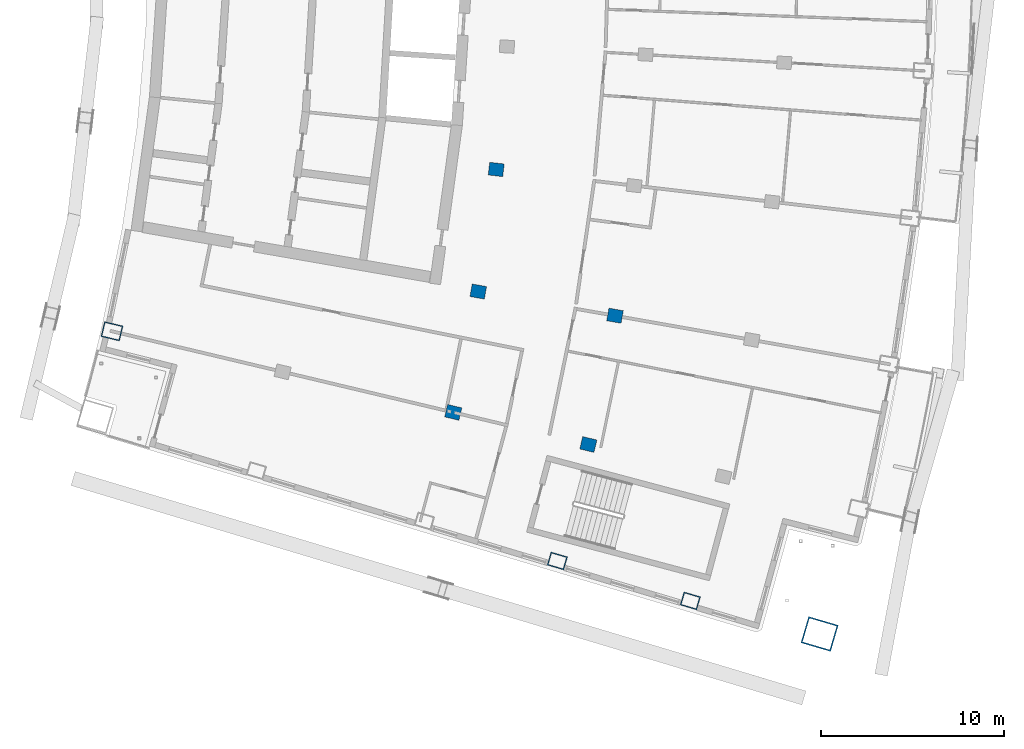
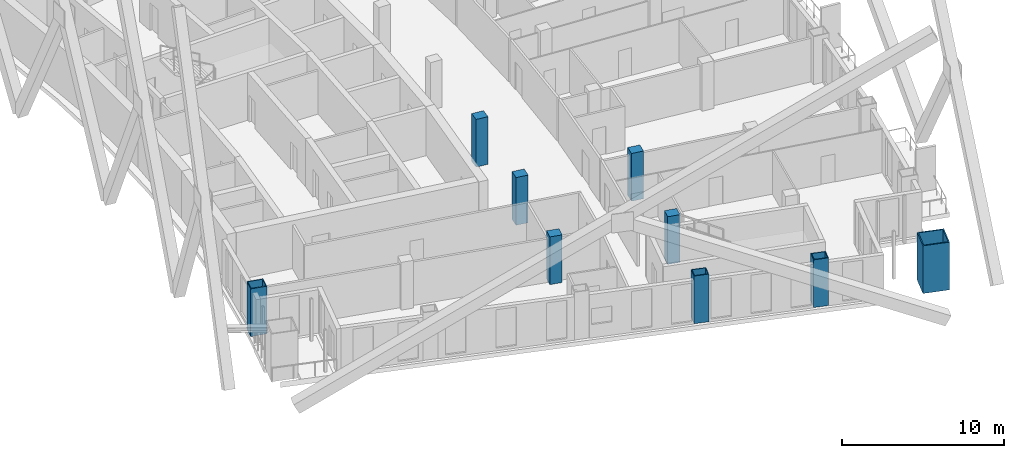
# One storey, part 2 of 20: 9 columns.
"""IFC4 building model written with IfcOpenShell, lengths in metres."""

from ifc_helpers import new_model, si_unit, direction, frame, origin, origin_2d, place, context, subcontext, project, spatial, rectangle, hollow_rectangle, extrude, material, material_profile, profile_set, type_object, element, save


model = new_model("IFC4")

# Units and contexts
model_context = context("Model", 3, precision=1e-05, world=origin(), true_north=direction((0.0, 1.0)))
body_context = subcontext(model_context, "Body", "Model", "MODEL_VIEW")
ifc_project = project(units=[si_unit("LENGTHUNIT", "METRE"), si_unit("AREAUNIT", "SQUARE_METRE"), si_unit("VOLUMEUNIT", "CUBIC_METRE"), si_unit("PLANEANGLEUNIT", "RADIAN"), si_unit("MASSUNIT", "GRAM", prefix="KILO")], contexts=[model_context])

# Site, building, storey
site_placement = place(None, origin())
site = spatial("IfcSite", under=ifc_project, at=site_placement, CompositionType="ELEMENT")
building_placement = place(site_placement, origin())
building = spatial("IfcBuilding", under=site, at=building_placement, Name="Alderwake Tower", CompositionType="ELEMENT")
storey_placement = place(building_placement, frame((0.0, 0.0, 189.199951171875)))
storey = spatial("IfcBuildingStorey", under=building, at=storey_placement, Name="L46", CompositionType="ELEMENT", Elevation=189.199951171875)

# Columns
ifc_material_1 = material(Name="Steel ASTM A572 Grade 50 concrete filled C70/85", Category="concrete")
ifc_material_profile_1 = material_profile(ifc_material_1, hollow_rectangle(XDim=0.75, YDim=0.949951171875, WallThickness=0.054931640625, at=origin_2d()), Name="BOX 950X750X55")
ifc_profile_set_1 = profile_set([ifc_material_profile_1], Name="Steel ASTM A572 Grade 50 concrete filled C70/85")
column_type_1 = type_object("IfcColumnType", Name="End column Z4", PredefinedType="COLUMN", material=ifc_profile_set_1)
for number, where, z_axis, x_axis, name in (
    (1, (38.359619140625, 26.091552734375, 0.0), (0.0, 0.0, 1.0), (0.282888913059, 0.959152679644, 0.0), "Column R02-C3"),
    (2, (45.638671875, 23.906005859375, 0.0), (0.0, 0.0, 1.0), (0.283160095779, 0.95907265635, 0.0), "Column R02-C4"),
):
    element("IfcColumn", number, at=place(storey_placement, frame(where, z_axis=z_axis, x_axis=x_axis)), inside=storey, type_object=column_type_1, Name=name, PredefinedType="COLUMN", context=body_context, shape_type="SweptSolid", body=[
        extrude(hollow_rectangle(XDim=0.75, YDim=0.949951171875, WallThickness=0.054931640625, at=origin_2d()), origin(), (0.0, 0.0, 1.0), 3.60009765625),
    ])
ifc_material_2 = material(Name="Concrete C70/85", Category="concrete")
ifc_material_profile_2 = material_profile(ifc_material_2, rectangle(XDim=0.699951171875, YDim=0.800048828125, at=origin_2d()), Name="RC 800X700")
ifc_profile_set_2 = profile_set([ifc_material_profile_2], Name="Concrete C70/85")
column_type_2 = type_object("IfcColumnType", Name="Interior column Z4", PredefinedType="COLUMN", material=ifc_profile_set_2)
for number, where, z_axis, x_axis, name in (
    (3, (32.661865234375, 34.224609375, 0.0), (0.0, 0.0, 1.0), (0.231221547198, 0.972901123502, 0.0), "Column R03-C2"),
    (4, (40.055908203125, 32.46728515625, 0.0), (0.0, 0.0, 1.0), (0.231221547198, 0.972901123502, 0.0), "Column R03-C3"),
    (5, (34.03125, 40.83837890625, 0.0), (0.0, 0.0, 1.0), (0.174108800747, 0.984726421654, 0.0), "Column R04-C2"),
    (6, (41.515380859375, 39.51513671875, 0.0), (0.0, 0.0, 1.0), (0.174107082075, 0.984726725529, 0.0), "Column R04-C3"),
    (7, (35.0126953125, 47.5205078125, 0.0), (0.0, 0.0, 1.0), (0.116402054316, 0.993202175668, 0.0), "Column R05-C2"),
):
    element("IfcColumn", number, at=place(storey_placement, frame(where, z_axis=z_axis, x_axis=x_axis)), inside=storey, type_object=column_type_2, Name=name, PredefinedType="COLUMN", context=body_context, shape_type="SweptSolid", body=[
        extrude(rectangle(XDim=0.699951171875, YDim=0.800048828125, at=origin_2d()), origin(), (0.0, 0.0, 1.0), 3.60009765625),
    ])
ifc_material_3 = material(Name="Steel ASTM A572 Grade 50 concrete filled C70/85", Category="concrete")
ifc_material_profile_3 = material_profile(ifc_material_3, hollow_rectangle(XDim=1.5, YDim=1.699951171875, WallThickness=0.074951171875, at=origin_2d()), Name="BOX 1700X1500X75")
ifc_profile_set_3 = profile_set([ifc_material_profile_3], Name="Steel ASTM A572 Grade 50 concrete filled C70/85")
column_type_3 = type_object("IfcColumnType", Name="Mega column Z4", PredefinedType="COLUMN", material=ifc_profile_set_3)
column_1_placement = place(storey_placement, frame((52.714599609375, 22.093017578125, 0.0), z_axis=(0.0, 0.0, 1.0), x_axis=(0.281323312272, 0.959613043874, 0.0)))
element("IfcColumn", 8, at=column_1_placement, inside=storey, type_object=column_type_3, Name="Column R02-C5", PredefinedType="COLUMN", context=body_context, shape_type="SweptSolid", body=[
    extrude(hollow_rectangle(XDim=1.5, YDim=1.699951171875, WallThickness=0.074951171875, at=origin_2d()), origin(), (0.0, 0.0, 1.0), 3.60009765625),
])
ifc_material_4 = material(Name="Steel ASTM A572 Grade 50 concrete filled C70/85", Category="concrete")
ifc_material_profile_4 = material_profile(ifc_material_4, hollow_rectangle(XDim=0.85009765625, YDim=1.050048828125, WallThickness=0.054931640625, at=origin_2d()), Name="BOX 1050X850X55")
ifc_profile_set_4 = profile_set([ifc_material_profile_4], Name="Steel ASTM A572 Grade 50 concrete filled C70/85")
column_type_4 = type_object("IfcColumnType", Name="Perimeter column Z4", PredefinedType="COLUMN", material=ifc_profile_set_4)
column_2_placement = place(storey_placement, frame((13.982177734375, 38.6640625, 0.0), z_axis=(0.0, 0.0, 1.0), x_axis=(0.231221547198, 0.972901123502, 0.0)))
element("IfcColumn", 9, at=column_2_placement, inside=storey, type_object=column_type_4, Name="Column R03-C0", PredefinedType="COLUMN", context=body_context, shape_type="SweptSolid", body=[
    extrude(hollow_rectangle(XDim=0.85009765625, YDim=1.050048828125, WallThickness=0.054931640625, at=origin_2d()), origin(), (0.0, 0.0, 1.0), 3.60009765625),
])

save(model, "model.ifc")
